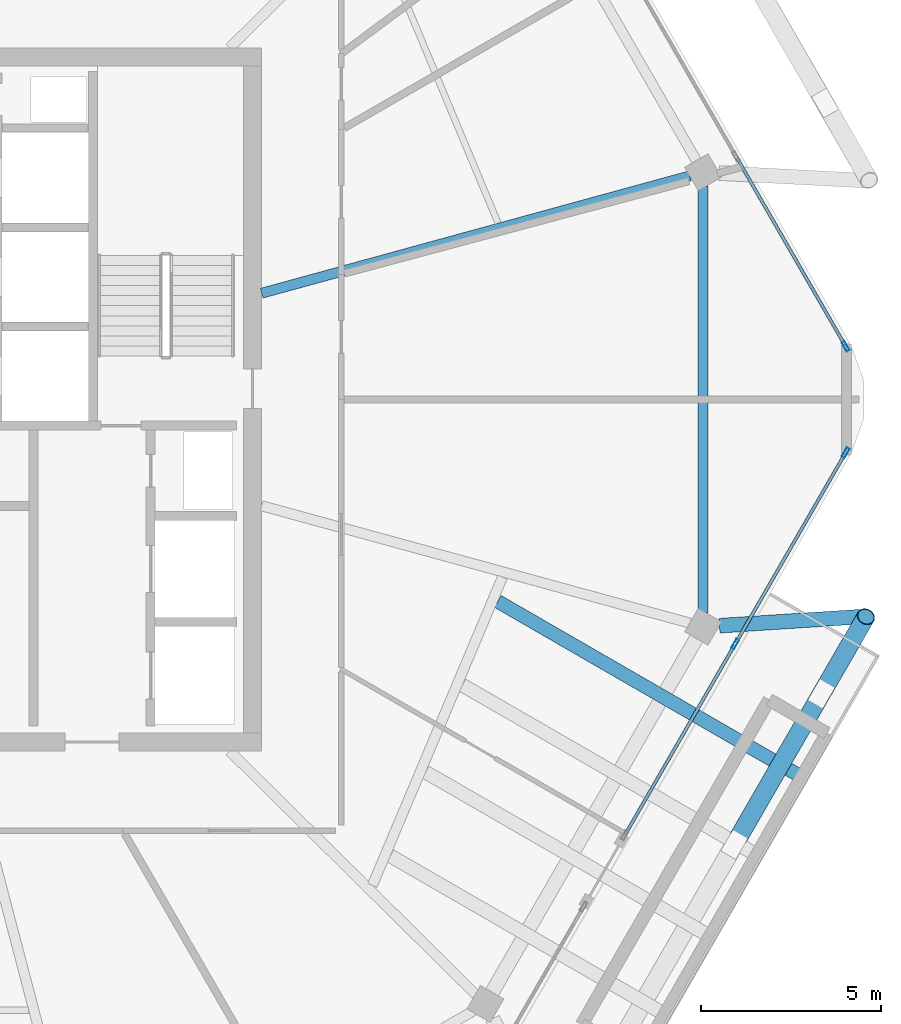
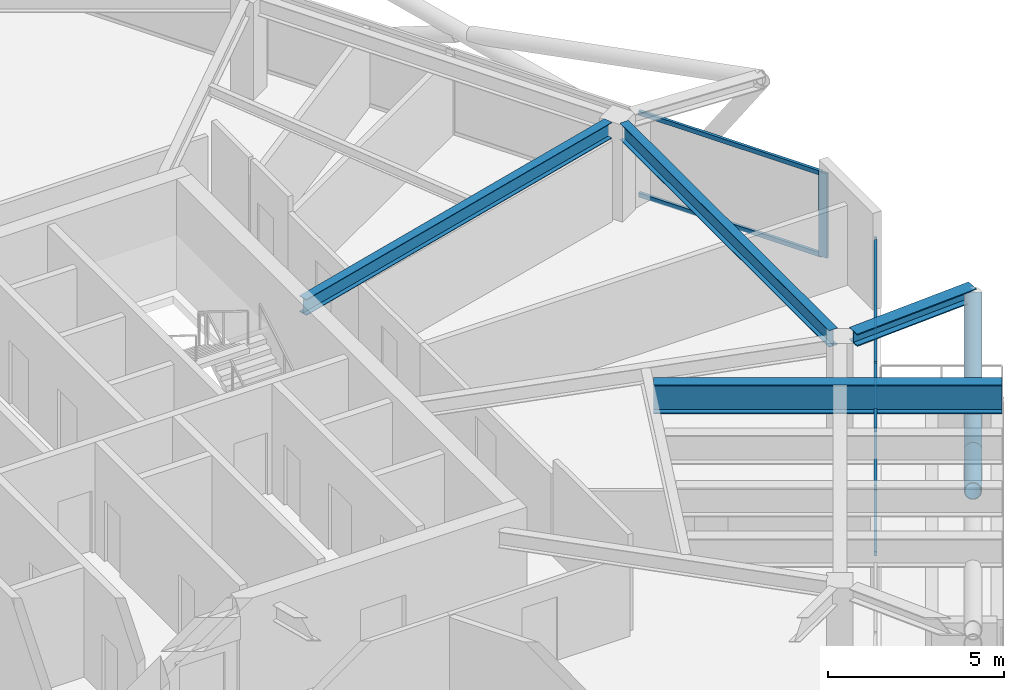
# One storey, part 9 of 23: 11 members, 4 beams, 2 elements without a shape of their own.
"""IFC4 building model written with IfcOpenShell, lengths in metres."""

from ifc_helpers import new_model, si_unit, direction, frame, origin, origin_2d, place, context, subcontext, project, spatial, hollow_rectangle, hollow_circle, i_section, extrude, material, material_profile, profile_set, type_object, element, aggregate, save


model = new_model("IFC4")

# Units and contexts
model_context = context("Model", 3, precision=1e-05, world=origin(), true_north=direction((0.0, 1.0)))
body_context = subcontext(model_context, "Body", "Model", "MODEL_VIEW")
ifc_project = project(units=[si_unit("LENGTHUNIT", "METRE"), si_unit("AREAUNIT", "SQUARE_METRE"), si_unit("VOLUMEUNIT", "CUBIC_METRE"), si_unit("PLANEANGLEUNIT", "RADIAN"), si_unit("MASSUNIT", "GRAM", prefix="KILO")], contexts=[model_context])

# Site, building, storey
site_placement = place(None, origin())
site = spatial("IfcSite", under=ifc_project, at=site_placement, CompositionType="ELEMENT")
building_placement = place(site_placement, origin())
building = spatial("IfcBuilding", under=site, at=building_placement, Name="Zuhravey Tower", CompositionType="ELEMENT")
storey_placement = place(building_placement, frame((0.0, 0.0, 353.800048828125)))
storey = spatial("IfcBuildingStorey", under=building, at=storey_placement, Name="L90", CompositionType="ELEMENT", Elevation=353.800048828125)

# Curtain wall, members
ifc_material_1 = material(Name="Thermally broken anodised aluminium", Category="aluminium")
curtain_wall_type = type_object("IfcCurtainWallType", Name="Zone 3-4 High-Rise Curtain Wall CW4", PredefinedType="NOTDEFINED", material=ifc_material_1)
curtain_wall_1_placement = place(storey_placement, origin())
curtain_wall_1 = element("IfcCurtainWall", 1, at=curtain_wall_1_placement, inside=storey, type_object=curtain_wall_type, Name="L90 CW4 CW-L90-F6-1", PredefinedType="NOTDEFINED")
ifc_material_2 = material(Name="Anodised aluminium", Category="aluminium")
ifc_material_profile_1 = material_profile(ifc_material_2, hollow_rectangle(XDim=0.090087890625, YDim=0.284912109375, WallThickness=0.0048828125, at=origin_2d()), Name="ALU-RHS-90x285x5")
ifc_profile_set_1 = profile_set([ifc_material_profile_1], Name="Anodised aluminium")
member_type_1 = type_object("IfcMemberType", Name="Curtain-Wall Mullion 90x180", PredefinedType="MULLION", material=ifc_profile_set_1)
member_1_placement = place(storey_placement, frame((62.94580078125, 30.5234375, 0.0), z_axis=(0.0, 0.0, 1.0), x_axis=(0.866026200788, -0.499998619547, 0.0)))
member_1 = element("IfcMember", 2, at=member_1_placement, type_object=member_type_1, Name="CW4 mullion 1", PredefinedType="MULLION", context=body_context, shape_type="SweptSolid", body=[
    extrude(hollow_rectangle(XDim=0.090087890625, YDim=0.284912109375, WallThickness=0.0048828125, at=origin_2d()), origin(), (0.0, 0.0, 1.0), 2.3798828125),
])
member_2_placement = place(storey_placement, frame((59.883544921875, 25.219482421875, 0.0), z_axis=(0.0, 0.0, 1.0), x_axis=(0.866026200788, -0.499998619547, 0.0)))
member_2 = element("IfcMember", 3, at=member_2_placement, type_object=member_type_1, Name="CW4 mullion 2", PredefinedType="MULLION", context=body_context, shape_type="SweptSolid", body=[
    extrude(hollow_rectangle(XDim=0.090087890625, YDim=0.284912109375, WallThickness=0.0048828125, at=origin_2d()), origin(), (0.0, 0.0, 1.0), 2.3798828125),
])

# Curtain wall, member
curtain_wall_2_placement = place(storey_placement, origin())
curtain_wall_2 = element("IfcCurtainWall", 4, at=curtain_wall_2_placement, inside=storey, type_object=curtain_wall_type, Name="L90 CW4 CW-L90-F1-1", PredefinedType="NOTDEFINED")
member_3_placement = place(storey_placement, frame((62.94580078125, 33.4765625, 0.0), z_axis=(0.0, 0.0, 1.0), x_axis=(0.866025511541, 0.49999981336, 0.0)))
member_3 = element("IfcMember", 5, at=member_3_placement, type_object=member_type_1, Name="CW4 mullion 5", PredefinedType="MULLION", context=body_context, shape_type="SweptSolid", body=[
    extrude(hollow_rectangle(XDim=0.090087890625, YDim=0.284912109375, WallThickness=0.0048828125, at=origin_2d()), origin(), (0.0, 0.0, 1.0), 2.921875),
])

# Member
ifc_material_profile_2 = material_profile(ifc_material_2, hollow_rectangle(XDim=0.090087890625, YDim=0.14990234375, WallThickness=0.0048828125, at=origin_2d()), Name="ALU-RHS-90x150x5")
ifc_profile_set_2 = profile_set([ifc_material_profile_2], Name="Anodised aluminium")
member_type_2 = type_object("IfcMemberType", Name="Curtain-Wall Transom 90x150", PredefinedType="USERDEFINED", material=ifc_profile_set_2)
member_4_placement = place(storey_placement, frame((62.92333984375, 30.484619140625, 0.044921875), z_axis=(-0.499989768384, -0.86603131093, 0.0), x_axis=(0.86603131093, -0.499989768384, 0.0)))
member_4 = element("IfcMember", 6, at=member_4_placement, type_object=member_type_2, Name="CW4 transom 1.1", ObjectType="TRANSOM", PredefinedType="USERDEFINED", context=body_context, shape_type="SweptSolid", body=[
    extrude(hollow_rectangle(XDim=0.090087890625, YDim=0.14990234375, WallThickness=0.0048828125, at=origin_2d()), origin(), (0.0, 0.0, 1.0), 6.034912109375),
])

member_5_placement = place(storey_placement, frame((62.92333984375, 30.484619140625, 2.3349609375), z_axis=(-0.499989768384, -0.86603131093, 0.0), x_axis=(0.86603131093, -0.499989768384, 0.0)))
member_5 = element("IfcMember", 7, at=member_5_placement, type_object=member_type_2, Name="CW4 transom 1.2", ObjectType="TRANSOM", PredefinedType="USERDEFINED", context=body_context, shape_type="SweptSolid", body=[
    extrude(hollow_rectangle(XDim=0.090087890625, YDim=0.14990234375, WallThickness=0.0048828125, at=origin_2d()), origin(), (0.0, 0.0, 1.0), 6.034912109375),
])

member_6_placement = place(storey_placement, frame((59.861083984375, 25.180419921875, 0.044921875), z_axis=(-0.50000728641, -0.866021196933, 0.0), x_axis=(0.866021196933, -0.50000728641, 0.0)))
member_6 = element("IfcMember", 8, at=member_6_placement, type_object=member_type_2, Name="CW4 transom 2.1", ObjectType="TRANSOM", PredefinedType="USERDEFINED", context=body_context, shape_type="SweptSolid", body=[
    extrude(hollow_rectangle(XDim=0.090087890625, YDim=0.14990234375, WallThickness=0.0048828125, at=origin_2d()), origin(), (0.0, 0.0, 1.0), 6.03466796875),
])

member_7_placement = place(storey_placement, frame((59.861083984375, 25.180419921875, 2.3349609375), z_axis=(-0.50000728641, -0.866021196933, 0.0), x_axis=(0.866021196933, -0.50000728641, 0.0)))
member_7 = element("IfcMember", 9, at=member_7_placement, type_object=member_type_2, Name="CW4 transom 2.2", ObjectType="TRANSOM", PredefinedType="USERDEFINED", context=body_context, shape_type="SweptSolid", body=[
    extrude(hollow_rectangle(XDim=0.090087890625, YDim=0.14990234375, WallThickness=0.0048828125, at=origin_2d()), origin(), (0.0, 0.0, 1.0), 6.03466796875),
])

aggregate(curtain_wall_1, [member_1, member_2, member_4, member_5, member_6, member_7])

member_8_placement = place(storey_placement, frame((59.93115234375, 38.6982421875, 0.044921875), z_axis=(0.499982594807, -0.866035452444, 0.0), x_axis=(0.866035452444, 0.499982594807, 0.0)))
member_8 = element("IfcMember", 10, at=member_8_placement, type_object=member_type_2, Name="CW4 transom 4.1", ObjectType="TRANSOM", PredefinedType="USERDEFINED", context=body_context, shape_type="SweptSolid", body=[
    extrude(hollow_rectangle(XDim=0.090087890625, YDim=0.14990234375, WallThickness=0.0048828125, at=origin_2d()), origin(), (0.0, 0.0, 1.0), 5.984619140625),
])

member_9_placement = place(storey_placement, frame((59.93115234375, 38.6982421875, 2.876953125), z_axis=(0.499982594807, -0.866035452444, 0.0), x_axis=(0.866035452444, 0.499982594807, 0.0)))
member_9 = element("IfcMember", 11, at=member_9_placement, type_object=member_type_2, Name="CW4 transom 4.2", ObjectType="TRANSOM", PredefinedType="USERDEFINED", context=body_context, shape_type="SweptSolid", body=[
    extrude(hollow_rectangle(XDim=0.090087890625, YDim=0.14990234375, WallThickness=0.0048828125, at=origin_2d()), origin(), (0.0, 0.0, 1.0), 5.984619140625),
])

aggregate(curtain_wall_2, [member_3, member_8, member_9])

# Beam
ifc_material_3 = material(Name="Steel SM460", Category="steel")
ifc_material_profile_3 = material_profile(ifc_material_3, i_section(OverallWidth=0.406982421875, OverallDepth=0.427978515625, WebThickness=0.02001953125, FlangeThickness=0.034912109375, at=origin_2d()), Name="H-428x407x20x35")
ifc_profile_set_3 = profile_set([ifc_material_profile_3], Name="Steel SM460")
beam_type_1 = type_object("IfcBeamType", Name="Exoskeleton Node Tie Beam H428x407", PredefinedType="BEAM", material=ifc_profile_set_3)
beam_1_placement = place(storey_placement, frame((59.447021484375, 25.7265625, 3.135986328125), z_axis=(0.997954987894, 0.06392059244, 0.0), x_axis=(-0.06392059244, 0.997954987894, 0.0)))
element("IfcBeam", 12, at=beam_1_placement, inside=storey, type_object=beam_type_1, Name="L90 Exoskeleton Node Tie NT1-12", PredefinedType="BEAM", context=body_context, shape_type="SweptSolid", body=[
    extrude(i_section(OverallWidth=0.406982421875, OverallDepth=0.427978515625, WebThickness=0.02001953125, FlangeThickness=0.034912109375, at=origin_2d()), origin(), (0.0, 0.0, 1.0), 4.06005859375),
])

# Members
ifc_material_4 = material(Name="Steel SM355", Category="steel")
ifc_material_profile_4 = material_profile(ifc_material_4, hollow_circle(Radius=0.25390625, WallThickness=0.02490234375, at=origin_2d()), Name="CHS-508.0x25")
ifc_profile_set_4 = profile_set([ifc_material_profile_4], Name="Steel SM355")
member_type_3 = type_object("IfcMemberType", Name="Exoskeleton Zone 4 Diagrid CHS508x25", PredefinedType="BRACE", material=ifc_profile_set_4)
member_10_placement = place(storey_placement, frame((62.27783203125, 23.8466796875, -0.5830078125), z_axis=(0.276758139819, 0.479329722715, 0.832855298936), x_axis=(-0.866012107475, 0.500023029176, 0.0)))
element("IfcMember", 13, at=member_10_placement, inside=storey, type_object=member_type_3, Name="L90 Face 6 Diagrid Brace 4", PredefinedType="BRACE", context=body_context, shape_type="SweptSolid", body=[
    extrude(hollow_circle(Radius=0.25390625, WallThickness=0.02490234375, at=origin_2d()), origin(), (0.0, 0.0, 1.0), 4.446044921875),
])
member_11_placement = place(storey_placement, frame((62.247802734375, 23.79443359375, -0.579833984375), z_axis=(-0.466281261196, -0.807683631593, 0.360872465996), x_axis=(0.866041700664, -0.499971771914, 0.0)))
element("IfcMember", 14, at=member_11_placement, inside=storey, type_object=member_type_3, Name="L90 Face 6 Split Diagrid Brace 3A", PredefinedType="BRACE", context=body_context, shape_type="SweptSolid", body=[
    extrude(hollow_circle(Radius=0.25390625, WallThickness=0.02490234375, at=origin_2d()), origin(), (0.0, 0.0, 1.0), 4.877685546875),
])

# Beams
ifc_material_profile_5 = material_profile(ifc_material_4, i_section(OverallWidth=0.280029296875, OverallDepth=0.580078125, WebThickness=0.011962890625, FlangeThickness=0.01904296875, at=origin_2d()), Name="H-580x280x12x19")
ifc_profile_set_5 = profile_set([ifc_material_profile_5], Name="Steel SM355")
beam_type_2 = type_object("IfcBeamType", Name="Perimeter Ring Beam H580x280", PredefinedType="BEAM", material=ifc_profile_set_5)
beam_2_placement = place(storey_placement, frame((58.993408203125, 26.07568359375, 3.06005859375), z_axis=(0.0, 1.0, 0.0), x_axis=(-1.0, 0.0, 0.0)))
element("IfcBeam", 15, at=beam_2_placement, inside=storey, type_object=beam_type_2, Name="L90 PB4 BM-L90-PB-12", PredefinedType="BEAM", context=body_context, shape_type="SweptSolid", body=[
    extrude(i_section(OverallWidth=0.280029296875, OverallDepth=0.580078125, WebThickness=0.011962890625, FlangeThickness=0.01904296875, at=origin_2d()), origin(), (0.0, 0.0, 1.0), 11.8486328125),
])
ifc_material_profile_6 = material_profile(ifc_material_4, i_section(OverallWidth=0.280029296875, OverallDepth=0.550048828125, WebThickness=0.010986328125, FlangeThickness=0.01806640625, at=origin_2d()), Name="H-550x280x11x18")
ifc_profile_set_6 = profile_set([ifc_material_profile_6], Name="Steel SM355")
beam_type_3 = type_object("IfcBeamType", Name="Radial Primary Girder H550x280", PredefinedType="BEAM", material=ifc_profile_set_6)
beam_3_placement = place(storey_placement, frame((46.7529296875, 34.947265625, 3.074951171875), z_axis=(0.964428588077, 0.264343523658, 0.0), x_axis=(-0.264343523658, 0.964428588077, 0.0)))
element("IfcBeam", 16, at=beam_3_placement, inside=storey, type_object=beam_type_3, Name="L90 RG4 BM-L90-RAD-01", PredefinedType="BEAM", context=body_context, shape_type="SweptSolid", body=[
    extrude(i_section(OverallWidth=0.280029296875, OverallDepth=0.550048828125, WebThickness=0.010986328125, FlangeThickness=0.01806640625, at=origin_2d()), origin(), (0.0, 0.0, 1.0), 12.31396484375),
])
ifc_material_profile_7 = material_profile(ifc_material_3, i_section(OverallWidth=0.3798828125, OverallDepth=1.0, WebThickness=0.02001953125, FlangeThickness=0.035888671875, at=origin_2d()), Name="H-1000x380x20x36")
ifc_profile_set_7 = profile_set([ifc_material_profile_7], Name="Steel SM460")
beam_type_4 = type_object("IfcBeamType", Name="Sky-Pool Saddle Girder H1000x380", PredefinedType="BEAM", material=ifc_profile_set_7)
beam_4_placement = place(storey_placement, frame((53.30029296875, 26.3994140625, 2.849853515625), z_axis=(0.866028416827, -0.49999478122, 0.0), x_axis=(0.49999478122, 0.866028416827, 0.0)))
element("IfcBeam", 17, at=beam_4_placement, inside=storey, type_object=beam_type_4, Name="L90 Sky-Pool Saddle Girder SPG1-04", PredefinedType="BEAM", context=body_context, shape_type="SweptSolid", body=[
    extrude(i_section(OverallWidth=0.3798828125, OverallDepth=1.0, WebThickness=0.02001953125, FlangeThickness=0.035888671875, at=origin_2d()), origin(), (0.0, 0.0, 1.0), 9.88134765625),
])

save(model, "model.ifc")
